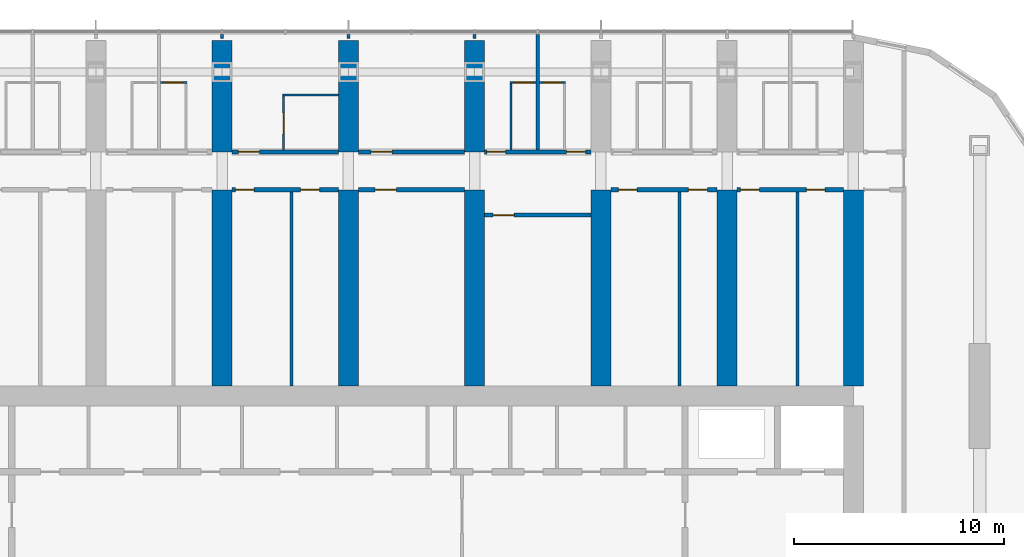
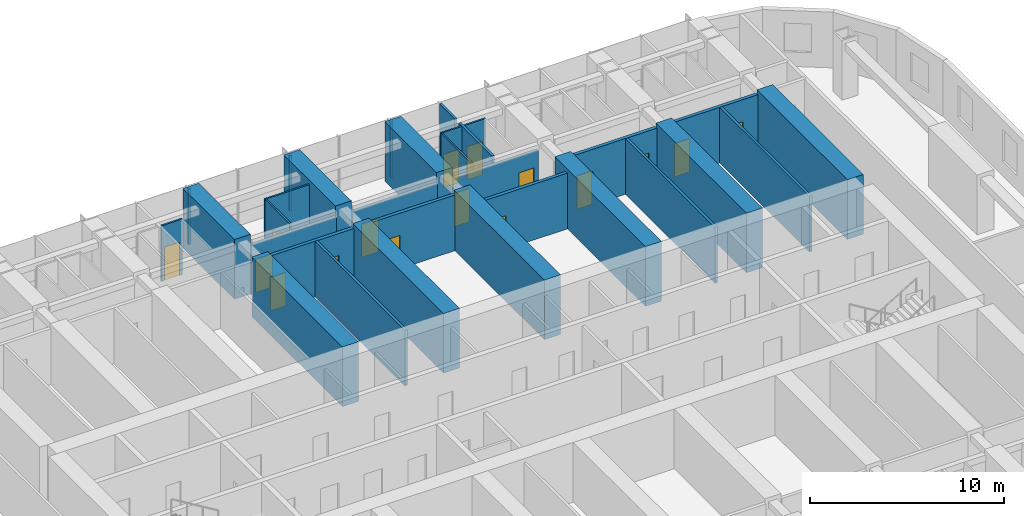
# One storey, part 15 of 22: 30 walls, 16 doors, 16 openings.
"""IFC4 building model written with IfcOpenShell, lengths in metres."""

from ifc_helpers import new_model, si_unit, direction, frame, frame_2d, origin, place, context, subcontext, project, spatial, polyline, rectangle, outline, extrude, material, layer, layer_set, type_object, element, fill, save


model = new_model("IFC4")

# Units and contexts
model_context = context("Model", 3, precision=1e-05, world=origin(), true_north=direction((0.0, 1.0)))
body_context = subcontext(model_context, "Body", "Model", "MODEL_VIEW")
ifc_project = project(units=[si_unit("LENGTHUNIT", "METRE"), si_unit("AREAUNIT", "SQUARE_METRE"), si_unit("VOLUMEUNIT", "CUBIC_METRE"), si_unit("PLANEANGLEUNIT", "RADIAN"), si_unit("MASSUNIT", "GRAM", prefix="KILO")], contexts=[model_context])

# Site, building, storey
site_placement = place(None, origin())
site = spatial("IfcSite", under=ifc_project, at=site_placement, CompositionType="ELEMENT")
building_placement = place(site_placement, origin())
building = spatial("IfcBuilding", under=site, at=building_placement, Name="Orbita Commons", CompositionType="ELEMENT")
storey_placement = place(building_placement, frame((0.0, 0.0, 121.89990234375)))
storey = spatial("IfcBuildingStorey", under=building, at=storey_placement, Name="L30", CompositionType="ELEMENT", Elevation=121.89990234375)

# Wall, opening, door
ifc_material_1 = material(Name="Concrete blockwork", Category="masonry")
ifc_layer_1 = layer(ifc_material_1, 0.199951171875)
ifc_layer_set_1 = layer_set([ifc_layer_1], Name="Concrete blockwork")
wall_type_1 = type_object("IfcWallType", Name="Corridor wall 200 blockwork", PredefinedType="SOLIDWALL", material=ifc_layer_set_1)
wall_1_placement = place(storey_placement, frame((36.47509765625, 49.800048828125, 0.0), z_axis=(0.0, 0.0, 1.0), x_axis=(1.0, 0.0, 0.0)))
wall_1 = element("IfcWall", 1, at=wall_1_placement, inside=storey, type_object=wall_type_1, Name="Corridor wall 200 blockwork L30", PredefinedType="SOLIDWALL", context=body_context, shape_type="SweptSolid", body=[
    extrude(outline(polyline([(0.0, 0.0), (5.0498046875, 0.0), (5.050048828125, 3.10009765625), (0.0, 3.10009765625), (0.0, 0.0)])), frame((0.0, 0.10009765625, 0.0), z_axis=(0.0, -1.0, 0.0), x_axis=(1.0, 0.0, 0.0)), (0.0, 0.0, 1.0), 0.199951171875),
])
opening_1_placement = place(wall_1_placement, frame((0.300048828125, 0.0, 0.0)))
opening_1 = element("IfcOpeningElement", 2, at=opening_1_placement, cuts=wall_1, Name="Opening D06", PredefinedType="OPENING", context=body_context, shape_type="SweptSolid", body=[
    extrude(rectangle(XDim=1.0, YDim=2.10009765625, at=frame_2d((0.5, 1.050048828125))), frame((0.0, 0.10986328125, 0.0), z_axis=(0.0, -1.0, 0.0), x_axis=(1.0, 0.0, 0.0)), (0.0, 0.0, 1.0), 0.219970703125),
])
ifc_material_2 = material(Name="Steel-faced fire door leaf", Category="steel")
door_type_1 = type_object("IfcDoorType", Name="Corridor door 20 min 1000x2100", OperationType="SINGLE_SWING_LEFT", PredefinedType="DOOR", material=ifc_material_2)
door_1_placement = place(opening_1_placement, origin())
door_1 = element("IfcDoor", 3, at=door_1_placement, inside=storey, type_object=door_type_1, Name="Accessible bedroom L30-N08 door", OperationType="SINGLE_SWING_LEFT", OverallHeight=2.10009765625, OverallWidth=1.0, PredefinedType="DOOR", context=body_context, shape_type="SweptSolid", body=[
    extrude(rectangle(XDim=1.0, YDim=2.10009765625, at=frame_2d((0.5, 1.050048828125))), frame((0.0, 0.02490234375, 0.0), z_axis=(0.0, -1.0, 0.0), x_axis=(1.0, 0.0, 0.0)), (0.0, 0.0, 1.0), 0.050048828125),
])
fill(opening_1, door_1)

wall_2_placement = place(storey_placement, frame((42.47509765625, 49.800048828125, 0.0), z_axis=(0.0, 0.0, 1.0), x_axis=(1.0, 0.0, 0.0)))
wall_2 = element("IfcWall", 4, at=wall_2_placement, inside=storey, type_object=wall_type_1, Name="Corridor wall 200 blockwork L30", PredefinedType="SOLIDWALL", context=body_context, shape_type="SweptSolid", body=[
    extrude(outline(polyline([(0.0, 0.0), (5.0498046875, 0.0), (5.050048828125, 3.10009765625), (0.0, 3.10009765625), (0.0, 0.0)])), frame((0.0, 0.10009765625, 0.0), z_axis=(0.0, -1.0, 0.0), x_axis=(1.0, 0.0, 0.0)), (0.0, 0.0, 1.0), 0.199951171875),
])
opening_2_placement = place(wall_2_placement, frame((0.60009765625, 0.0, 0.0)))
opening_2 = element("IfcOpeningElement", 5, at=opening_2_placement, cuts=wall_2, Name="Opening D06", PredefinedType="OPENING", context=body_context, shape_type="SweptSolid", body=[
    extrude(rectangle(XDim=1.0, YDim=2.10009765625, at=frame_2d((0.5, 1.050048828125))), frame((0.0, 0.10986328125, 0.0), z_axis=(0.0, -1.0, 0.0), x_axis=(1.0, 0.0, 0.0)), (0.0, 0.0, 1.0), 0.219970703125),
])
door_2_placement = place(opening_2_placement, origin())
door_2 = element("IfcDoor", 6, at=door_2_placement, inside=storey, type_object=door_type_1, Name="Cluster kitchen-diner L30-N10 door", OperationType="SINGLE_SWING_LEFT", OverallHeight=2.10009765625, OverallWidth=1.0, PredefinedType="DOOR", context=body_context, shape_type="SweptSolid", body=[
    extrude(rectangle(XDim=1.0, YDim=2.10009765625, at=frame_2d((0.5, 1.050048828125))), frame((0.0, 0.02490234375, 0.0), z_axis=(0.0, -1.0, 0.0), x_axis=(1.0, 0.0, 0.0)), (0.0, 0.0, 1.0), 0.050048828125),
])
fill(opening_2, door_2)

# Wall, openings, doors
wall_3_placement = place(storey_placement, frame((48.47509765625, 49.800048828125, 0.0), z_axis=(0.0, 0.0, 1.0), x_axis=(1.0, 0.0, 0.0)))
wall_3 = element("IfcWall", 7, at=wall_3_placement, inside=storey, type_object=wall_type_1, Name="Corridor wall 200 blockwork L30", PredefinedType="SOLIDWALL", context=body_context, shape_type="SweptSolid", body=[
    extrude(outline(polyline([(0.0, 0.0), (5.0498046875, 0.0), (5.050048828125, 3.10009765625), (0.0, 3.10009765625), (0.0, 0.0)])), frame((0.0, 0.10009765625, 0.0), z_axis=(0.0, -1.0, 0.0), x_axis=(1.0, 0.0, 0.0)), (0.0, 0.0, 1.0), 0.199951171875),
])
opening_3_placement = place(wall_3_placement, frame((0.10009765625, 0.0, 0.0)))
opening_3 = element("IfcOpeningElement", 8, at=opening_3_placement, cuts=wall_3, Name="Opening D11", PredefinedType="OPENING", context=body_context, shape_type="SweptSolid", body=[
    extrude(rectangle(XDim=0.89990234375, YDim=2.10009765625, at=frame_2d((0.449951171875, 1.050048828125))), frame((0.0, 0.10986328125, 0.0), z_axis=(0.0, -1.0, 0.0), x_axis=(1.0, 0.0, 0.0)), (0.0, 0.0, 1.0), 0.219970703125),
])
opening_4_placement = place(wall_3_placement, frame((3.89990234375, 0.0, 0.0)))
opening_4 = element("IfcOpeningElement", 9, at=opening_4_placement, cuts=wall_3, Name="Opening D11", PredefinedType="OPENING", context=body_context, shape_type="SweptSolid", body=[
    extrude(rectangle(XDim=0.89990234375, YDim=2.10009765625, at=frame_2d((0.449951171875, 1.050048828125))), frame((0.0, 0.10986328125, 0.0), z_axis=(0.0, -1.0, 0.0), x_axis=(1.0, 0.0, 0.0)), (0.0, 0.0, 1.0), 0.219970703125),
])
ifc_material_3 = material(Name="Steel-faced fire door leaf", Category="steel")
door_type_2 = type_object("IfcDoorType", Name="Corridor door 20 min 900x2100", OperationType="SINGLE_SWING_LEFT", PredefinedType="DOOR", material=ifc_material_3)
door_3_placement = place(opening_3_placement, origin())
door_3 = element("IfcDoor", 10, at=door_3_placement, inside=storey, type_object=door_type_2, Name="Cluster bedroom L30-N12 door", OperationType="SINGLE_SWING_LEFT", OverallHeight=2.10009765625, OverallWidth=0.89990234375, PredefinedType="DOOR", context=body_context, shape_type="SweptSolid", body=[
    extrude(rectangle(XDim=0.89990234375, YDim=2.10009765625, at=frame_2d((0.449951171875, 1.050048828125))), frame((0.0, 0.02490234375, 0.0), z_axis=(0.0, -1.0, 0.0), x_axis=(1.0, 0.0, 0.0)), (0.0, 0.0, 1.0), 0.050048828125),
])
fill(opening_3, door_3)
door_4_placement = place(opening_4_placement, origin())
door_4 = element("IfcDoor", 11, at=door_4_placement, inside=storey, type_object=door_type_2, Name="Cluster bedroom L30-N13 door", OperationType="SINGLE_SWING_LEFT", OverallHeight=2.10009765625, OverallWidth=0.89990234375, PredefinedType="DOOR", context=body_context, shape_type="SweptSolid", body=[
    extrude(rectangle(XDim=0.89990234375, YDim=2.10009765625, at=frame_2d((0.449951171875, 1.050048828125))), frame((0.0, 0.02490234375, 0.0), z_axis=(0.0, -1.0, 0.0), x_axis=(1.0, 0.0, 0.0)), (0.0, 0.0, 1.0), 0.050048828125),
])
fill(opening_4, door_4)

ifc_material_4 = material(Name="Hollow concrete block 200", Category="concrete")
ifc_layer_2 = layer(ifc_material_4, 0.199951171875)
ifc_layer_set_2 = layer_set([ifc_layer_2], Name="Hollow concrete block 200")
wall_type_2 = type_object("IfcWallType", Name="Corridor wall 200 hollow concrete block", PredefinedType="SOLIDWALL", material=ifc_layer_set_2)
wall_4_placement = place(storey_placement, frame((36.47509765625, 48.0, 0.0), z_axis=(0.0, 0.0, 1.0), x_axis=(1.0, 0.0, 0.0)))
wall_4 = element("IfcWall", 12, at=wall_4_placement, inside=storey, type_object=wall_type_2, Name="Corridor wall 200 hollow concrete block L30", PredefinedType="SOLIDWALL", context=body_context, shape_type="SweptSolid", body=[
    extrude(rectangle(XDim=5.0498046875, YDim=0.199951171875, at=frame_2d((2.52490234375, 0.0))), origin(), (0.0, 0.0, 1.0), 3.5),
])
opening_5_placement = place(wall_4_placement, frame((0.14990234375, 0.0, 0.0)))
opening_5 = element("IfcOpeningElement", 13, at=opening_5_placement, cuts=wall_4, Name="Opening D11", PredefinedType="OPENING", context=body_context, shape_type="SweptSolid", body=[
    extrude(rectangle(XDim=0.89990234375, YDim=2.10009765625, at=frame_2d((0.449951171875, 1.050048828125))), frame((0.0, 0.10986328125, 0.0), z_axis=(0.0, -1.0, 0.0), x_axis=(1.0, 0.0, 0.0)), (0.0, 0.0, 1.0), 0.219970703125),
])
opening_6_placement = place(wall_4_placement, frame((3.2548828125, 0.0, 0.0)))
opening_6 = element("IfcOpeningElement", 14, at=opening_6_placement, cuts=wall_4, Name="Opening D11", PredefinedType="OPENING", context=body_context, shape_type="SweptSolid", body=[
    extrude(rectangle(XDim=0.89990234375, YDim=2.10009765625, at=frame_2d((0.449951171875, 1.050048828125))), frame((0.0, 0.10986328125, 0.0), z_axis=(0.0, -1.0, 0.0), x_axis=(1.0, 0.0, 0.0)), (0.0, 0.0, 1.0), 0.219970703125),
])
door_5_placement = place(opening_5_placement, origin())
door_5 = element("IfcDoor", 15, at=door_5_placement, inside=storey, type_object=door_type_2, Name="Electrical and data room L30-BDN36 door", OperationType="SINGLE_SWING_LEFT", OverallHeight=2.10009765625, OverallWidth=0.89990234375, PredefinedType="DOOR", context=body_context, shape_type="SweptSolid", body=[
    extrude(rectangle(XDim=0.89990234375, YDim=2.10009765625, at=frame_2d((0.449951171875, 1.050048828125))), frame((0.0, 0.02490234375, 0.0), z_axis=(0.0, -1.0, 0.0), x_axis=(1.0, 0.0, 0.0)), (0.0, 0.0, 1.0), 0.050048828125),
])
fill(opening_5, door_5)
door_6_placement = place(opening_6_placement, origin())
door_6 = element("IfcDoor", 16, at=door_6_placement, inside=storey, type_object=door_type_2, Name="Water heater cupboard L30-BDN36n door", OperationType="SINGLE_SWING_LEFT", OverallHeight=2.10009765625, OverallWidth=0.89990234375, PredefinedType="DOOR", context=body_context, shape_type="SweptSolid", body=[
    extrude(rectangle(XDim=0.89990234375, YDim=2.10009765625, at=frame_2d((0.449951171875, 1.050048828125))), frame((0.0, 0.02490234375, 0.0), z_axis=(0.0, -1.0, 0.0), x_axis=(1.0, 0.0, 0.0)), (0.0, 0.0, 1.0), 0.050048828125),
])
fill(opening_6, door_6)

# Wall, opening, door
wall_5_placement = place(storey_placement, frame((42.47509765625, 48.0, 0.0), z_axis=(0.0, 0.0, 1.0), x_axis=(1.0, 0.0, 0.0)))
wall_5 = element("IfcWall", 17, at=wall_5_placement, inside=storey, type_object=wall_type_2, Name="Corridor wall 200 hollow concrete block L30", PredefinedType="SOLIDWALL", context=body_context, shape_type="SweptSolid", body=[
    extrude(rectangle(XDim=5.0498046875, YDim=0.199951171875, at=frame_2d((2.52490234375, 0.0))), origin(), (0.0, 0.0, 1.0), 3.5),
])
opening_7_placement = place(wall_5_placement, frame((0.800048828125, 0.0, 0.0)))
opening_7 = element("IfcOpeningElement", 18, at=opening_7_placement, cuts=wall_5, Name="Opening D06", PredefinedType="OPENING", context=body_context, shape_type="SweptSolid", body=[
    extrude(rectangle(XDim=1.0, YDim=2.10009765625, at=frame_2d((0.5, 1.050048828125))), frame((0.0, 0.10986328125, 0.0), z_axis=(0.0, -1.0, 0.0), x_axis=(1.0, 0.0, 0.0)), (0.0, 0.0, 1.0), 0.219970703125),
])
door_7_placement = place(opening_7_placement, origin())
door_7 = element("IfcDoor", 19, at=door_7_placement, inside=storey, type_object=door_type_1, Name="Storage lockers L30-BDN42 door", OperationType="SINGLE_SWING_LEFT", OverallHeight=2.10009765625, OverallWidth=1.0, PredefinedType="DOOR", context=body_context, shape_type="SweptSolid", body=[
    extrude(rectangle(XDim=1.0, YDim=2.10009765625, at=frame_2d((0.5, 1.050048828125))), frame((0.0, 0.02490234375, 0.0), z_axis=(0.0, -1.0, 0.0), x_axis=(1.0, 0.0, 0.0)), (0.0, 0.0, 1.0), 0.050048828125),
])
fill(opening_7, door_7)

# Wall, openings, doors
wall_6_placement = place(storey_placement, frame((54.47509765625, 48.0, 0.0), z_axis=(0.0, 0.0, 1.0), x_axis=(1.0, 0.0, 0.0)))
wall_6 = element("IfcWall", 20, at=wall_6_placement, inside=storey, type_object=wall_type_2, Name="Corridor wall 200 hollow concrete block L30", PredefinedType="SOLIDWALL", context=body_context, shape_type="SweptSolid", body=[
    extrude(rectangle(XDim=5.0498046875, YDim=0.199951171875, at=frame_2d((2.52490234375, 0.0))), origin(), (0.0, 0.0, 1.0), 3.5),
])
opening_8_placement = place(wall_6_placement, frame((0.35009765625, 0.0, 0.0)))
opening_8 = element("IfcOpeningElement", 21, at=opening_8_placement, cuts=wall_6, Name="Opening D11", PredefinedType="OPENING", context=body_context, shape_type="SweptSolid", body=[
    extrude(rectangle(XDim=0.89990234375, YDim=2.10009765625, at=frame_2d((0.449951171875, 1.050048828125))), frame((0.0, 0.10986328125, 0.0), z_axis=(0.0, -1.0, 0.0), x_axis=(1.0, 0.0, 0.0)), (0.0, 0.0, 1.0), 0.219970703125),
])
opening_9_placement = place(wall_6_placement, frame((3.68505859375, 0.0, 0.0)))
opening_9 = element("IfcOpeningElement", 22, at=opening_9_placement, cuts=wall_6, Name="Opening D11", PredefinedType="OPENING", context=body_context, shape_type="SweptSolid", body=[
    extrude(rectangle(XDim=0.89990234375, YDim=2.10009765625, at=frame_2d((0.449951171875, 1.050048828125))), frame((0.0, 0.10986328125, 0.0), z_axis=(0.0, -1.0, 0.0), x_axis=(1.0, 0.0, 0.0)), (0.0, 0.0, 1.0), 0.219970703125),
])
door_8_placement = place(opening_8_placement, origin())
door_8 = element("IfcDoor", 23, at=door_8_placement, inside=storey, type_object=door_type_2, Name="Ventilation plant room north L30-BDN54 door", OperationType="SINGLE_SWING_LEFT", OverallHeight=2.10009765625, OverallWidth=0.89990234375, PredefinedType="DOOR", context=body_context, shape_type="SweptSolid", body=[
    extrude(rectangle(XDim=0.89990234375, YDim=2.10009765625, at=frame_2d((0.449951171875, 1.050048828125))), frame((0.0, 0.02490234375, 0.0), z_axis=(0.0, -1.0, 0.0), x_axis=(1.0, 0.0, 0.0)), (0.0, 0.0, 1.0), 0.050048828125),
])
fill(opening_8, door_8)
door_9_placement = place(opening_9_placement, origin())
door_9 = element("IfcDoor", 24, at=door_9_placement, inside=storey, type_object=door_type_2, Name="Battery and UPS room L30-BDN54n door", OperationType="SINGLE_SWING_LEFT", OverallHeight=2.10009765625, OverallWidth=0.89990234375, PredefinedType="DOOR", context=body_context, shape_type="SweptSolid", body=[
    extrude(rectangle(XDim=0.89990234375, YDim=2.10009765625, at=frame_2d((0.449951171875, 1.050048828125))), frame((0.0, 0.02490234375, 0.0), z_axis=(0.0, -1.0, 0.0), x_axis=(1.0, 0.0, 0.0)), (0.0, 0.0, 1.0), 0.050048828125),
])
fill(opening_9, door_9)

wall_7_placement = place(storey_placement, frame((60.47509765625, 48.0, 0.0), z_axis=(0.0, 0.0, 1.0), x_axis=(1.0, 0.0, 0.0)))
wall_7 = element("IfcWall", 25, at=wall_7_placement, inside=storey, type_object=wall_type_2, Name="Corridor wall 200 hollow concrete block L30", PredefinedType="SOLIDWALL", context=body_context, shape_type="SweptSolid", body=[
    extrude(rectangle(XDim=5.0498046875, YDim=0.199951171875, at=frame_2d((2.52490234375, 0.0))), origin(), (0.0, 0.0, 1.0), 3.5),
])
opening_10_placement = place(wall_7_placement, frame((0.14990234375, 0.0, 0.0)))
opening_10 = element("IfcOpeningElement", 26, at=opening_10_placement, cuts=wall_7, Name="Opening D11", PredefinedType="OPENING", context=body_context, shape_type="SweptSolid", body=[
    extrude(rectangle(XDim=0.89990234375, YDim=2.10009765625, at=frame_2d((0.449951171875, 1.050048828125))), frame((0.0, 0.10986328125, 0.0), z_axis=(0.0, -1.0, 0.0), x_axis=(1.0, 0.0, 0.0)), (0.0, 0.0, 1.0), 0.219970703125),
])
opening_11_placement = place(wall_7_placement, frame((3.284912109375, 0.0, 0.0)))
opening_11 = element("IfcOpeningElement", 27, at=opening_11_placement, cuts=wall_7, Name="Opening D11", PredefinedType="OPENING", context=body_context, shape_type="SweptSolid", body=[
    extrude(rectangle(XDim=0.89990234375, YDim=2.10009765625, at=frame_2d((0.449951171875, 1.050048828125))), frame((0.0, 0.10986328125, 0.0), z_axis=(0.0, -1.0, 0.0), x_axis=(1.0, 0.0, 0.0)), (0.0, 0.0, 1.0), 0.219970703125),
])
door_10_placement = place(opening_10_placement, origin())
door_10 = element("IfcDoor", 28, at=door_10_placement, inside=storey, type_object=door_type_2, Name="Parcel and post room L30-BDN60 door", OperationType="SINGLE_SWING_LEFT", OverallHeight=2.10009765625, OverallWidth=0.89990234375, PredefinedType="DOOR", context=body_context, shape_type="SweptSolid", body=[
    extrude(rectangle(XDim=0.89990234375, YDim=2.10009765625, at=frame_2d((0.449951171875, 1.050048828125))), frame((0.0, 0.02490234375, 0.0), z_axis=(0.0, -1.0, 0.0), x_axis=(1.0, 0.0, 0.0)), (0.0, 0.0, 1.0), 0.050048828125),
])
fill(opening_10, door_10)
door_11_placement = place(opening_11_placement, origin())
door_11 = element("IfcDoor", 29, at=door_11_placement, inside=storey, type_object=door_type_2, Name="Sprinkler valve room L30-BDN60n door", OperationType="SINGLE_SWING_LEFT", OverallHeight=2.10009765625, OverallWidth=0.89990234375, PredefinedType="DOOR", context=body_context, shape_type="SweptSolid", body=[
    extrude(rectangle(XDim=0.89990234375, YDim=2.10009765625, at=frame_2d((0.449951171875, 1.050048828125))), frame((0.0, 0.02490234375, 0.0), z_axis=(0.0, -1.0, 0.0), x_axis=(1.0, 0.0, 0.0)), (0.0, 0.0, 1.0), 0.050048828125),
])
fill(opening_11, door_11)

# Wall, opening, door
wall_8_placement = place(storey_placement, frame((48.47509765625, 46.800048828125, 0.0), z_axis=(0.0, 0.0, 1.0), x_axis=(1.0, 0.0, 0.0)))
wall_8 = element("IfcWall", 30, at=wall_8_placement, inside=storey, type_object=wall_type_2, Name="Corridor wall 200 hollow concrete block L30", PredefinedType="SOLIDWALL", context=body_context, shape_type="SweptSolid", body=[
    extrude(rectangle(XDim=5.0498046875, YDim=0.199951171875, at=frame_2d((2.52490234375, 0.0))), origin(), (0.0, 0.0, 1.0), 3.5),
])
opening_12_placement = place(wall_8_placement, frame((0.39990234375, 0.0, 0.0)))
opening_12 = element("IfcOpeningElement", 31, at=opening_12_placement, cuts=wall_8, Name="Opening D06", PredefinedType="OPENING", context=body_context, shape_type="SweptSolid", body=[
    extrude(rectangle(XDim=1.0, YDim=2.10009765625, at=frame_2d((0.5, 1.050048828125))), frame((0.0, 0.10986328125, 0.0), z_axis=(0.0, -1.0, 0.0), x_axis=(1.0, 0.0, 0.0)), (0.0, 0.0, 1.0), 0.219970703125),
])
door_12_placement = place(opening_12_placement, origin())
door_12 = element("IfcDoor", 32, at=door_12_placement, inside=storey, type_object=door_type_1, Name="Store L30-BDN48 door", OperationType="SINGLE_SWING_LEFT", OverallHeight=2.10009765625, OverallWidth=1.0, PredefinedType="DOOR", context=body_context, shape_type="SweptSolid", body=[
    extrude(rectangle(XDim=1.0, YDim=2.10009765625, at=frame_2d((0.5, 1.050048828125))), frame((0.0, 0.02490234375, 0.0), z_axis=(0.0, -1.0, 0.0), x_axis=(1.0, 0.0, 0.0)), (0.0, 0.0, 1.0), 0.050048828125),
])
fill(opening_12, door_12)

# Walls
ifc_material_5 = material(Name="Concrete C50/60", Category="concrete")
ifc_layer_3 = layer(ifc_material_5, 0.949951171875)
ifc_layer_set_3 = layer_set([ifc_layer_3], Name="Concrete C50/60")
wall_type_3 = type_object("IfcWallType", Name="Cross wall 950 C50/60", PredefinedType="SHEAR", material=ifc_layer_set_3)
wall_9_placement = place(storey_placement, frame((36.0, 49.800048828125, 0.0), z_axis=(0.0, 0.0, 1.0), x_axis=(0.0, 1.0, 0.0)))
element("IfcWall", 33, at=wall_9_placement, inside=storey, type_object=wall_type_3, Name="Cross wall 7 north outer L30", PredefinedType="SHEAR", context=body_context, shape_type="SweptSolid", body=[
    extrude(rectangle(XDim=5.300048828125, YDim=0.949951171875, at=frame_2d((2.64990234375, 0.0))), origin(), (0.0, 0.0, 1.0), 3.75),
])
wall_10_placement = place(storey_placement, frame((36.0, 38.675048828125, 0.0), z_axis=(0.0, 0.0, 1.0), x_axis=(0.0, 1.0, 0.0)))
element("IfcWall", 34, at=wall_10_placement, inside=storey, type_object=wall_type_3, Name="Cross wall 7 north inner L30", PredefinedType="SHEAR", context=body_context, shape_type="SweptSolid", body=[
    extrude(rectangle(XDim=9.324951171875, YDim=0.949951171875, at=frame_2d((4.66259765625, 0.0))), origin(), (0.0, 0.0, 1.0), 3.75),
])
wall_11_placement = place(storey_placement, frame((42.0, 49.800048828125, 0.0), z_axis=(0.0, 0.0, 1.0), x_axis=(0.0, 1.0, 0.0)))
element("IfcWall", 35, at=wall_11_placement, inside=storey, type_object=wall_type_3, Name="Cross wall 8 north outer L30", PredefinedType="SHEAR", context=body_context, shape_type="SweptSolid", body=[
    extrude(rectangle(XDim=5.300048828125, YDim=0.949951171875, at=frame_2d((2.64990234375, 0.0))), origin(), (0.0, 0.0, 1.0), 3.75),
])
wall_12_placement = place(storey_placement, frame((42.0, 38.675048828125, 0.0), z_axis=(0.0, 0.0, 1.0), x_axis=(0.0, 1.0, 0.0)))
element("IfcWall", 36, at=wall_12_placement, inside=storey, type_object=wall_type_3, Name="Cross wall 8 north inner L30", PredefinedType="SHEAR", context=body_context, shape_type="SweptSolid", body=[
    extrude(rectangle(XDim=9.324951171875, YDim=0.949951171875, at=frame_2d((4.66259765625, 0.0))), origin(), (0.0, 0.0, 1.0), 3.75),
])
wall_13_placement = place(storey_placement, frame((48.0, 49.800048828125, 0.0), z_axis=(0.0, 0.0, 1.0), x_axis=(0.0, 1.0, 0.0)))
element("IfcWall", 37, at=wall_13_placement, inside=storey, type_object=wall_type_3, Name="Cross wall 9 north outer L30", PredefinedType="SHEAR", context=body_context, shape_type="SweptSolid", body=[
    extrude(rectangle(XDim=5.300048828125, YDim=0.949951171875, at=frame_2d((2.64990234375, 0.0))), origin(), (0.0, 0.0, 1.0), 3.75),
])
for number, where, z_axis, x_axis, name in (
    (38, (48.0, 38.675048828125, 0.0), (0.0, 0.0, 1.0), (0.0, 1.0, 0.0), "Cross wall 9 north inner L30"),
    (39, (54.0, 38.675048828125, 0.0), (0.0, 0.0, 1.0), (0.0, 1.0, 0.0), "Cross wall 10 north inner L30"),
    (40, (60.0, 38.675048828125, 0.0), (0.0, 0.0, 1.0), (0.0, 1.0, 0.0), "Cross wall 11 north inner L30"),
    (41, (66.0, 38.675048828125, 0.0), (0.0, 0.0, 1.0), (0.0, 1.0, 0.0), "Cross wall 12 north inner L30"),
):
    element("IfcWall", number, at=place(storey_placement, frame(where, z_axis=z_axis, x_axis=x_axis)), inside=storey, type_object=wall_type_3, Name=name, PredefinedType="SHEAR", context=body_context, shape_type="SweptSolid", body=[
        extrude(rectangle(XDim=9.324951171875, YDim=0.949951171875, at=frame_2d((4.66259765625, 0.0))), origin(), (0.0, 0.0, 1.0), 3.75),
    ])

# Wall, opening, door
ifc_material_6 = material(Name="Moisture-resistant plasterboard on steel studs", Category="steel")
ifc_layer_4 = layer(ifc_material_6, 0.10009765625)
ifc_layer_set_4 = layer_set([ifc_layer_4], Name="Moisture-resistant plasterboard on steel studs")
wall_type_4 = type_object("IfcWallType", Name="En-suite partition 100", PredefinedType="PARTITIONING", material=ifc_layer_set_4)
wall_14_placement = place(storey_placement, frame((33.074951171875, 53.10009765625, 0.0), z_axis=(0.0, 0.0, 1.0), x_axis=(1.0, 0.0, 0.0)))
wall_14 = element("IfcWall", 42, at=wall_14_placement, inside=storey, type_object=wall_type_4, Name="En-suite partition 100 L30", PredefinedType="PARTITIONING", context=body_context, shape_type="SweptSolid", body=[
    extrude(rectangle(XDim=1.25, YDim=0.10009765625, at=frame_2d((0.625, 0.0))), origin(), (0.0, 0.0, 1.0), 3.5),
])
opening_13_placement = place(wall_14_placement, frame((0.175048828125, 0.0, 0.0)))
opening_13 = element("IfcOpeningElement", 43, at=opening_13_placement, cuts=wall_14, Name="Opening D09", PredefinedType="OPENING", context=body_context, shape_type="SweptSolid", body=[
    extrude(rectangle(XDim=0.89990234375, YDim=2.10009765625, at=frame_2d((0.449951171875, 1.050048828125))), frame((0.0, 0.06005859375, 0.0), z_axis=(0.0, -1.0, 0.0), x_axis=(1.0, 0.0, 0.0)), (0.0, 0.0, 1.0), 0.1201171875),
])
ifc_material_7 = material(Name="Laminated timber door leaf", Category="wood")
door_type_3 = type_object("IfcDoorType", Name="En-suite door 900x2100", OperationType="SINGLE_SWING_RIGHT", PredefinedType="DOOR", material=ifc_material_7)
door_13_placement = place(opening_13_placement, origin())
door_13 = element("IfcDoor", 44, at=door_13_placement, inside=storey, type_object=door_type_3, Name="En-suite L30-N07 door", OperationType="SINGLE_SWING_RIGHT", OverallHeight=2.10009765625, OverallWidth=0.89990234375, PredefinedType="DOOR", context=body_context, shape_type="SweptSolid", body=[
    extrude(rectangle(XDim=0.89990234375, YDim=2.10009765625, at=frame_2d((0.449951171875, 1.050048828125))), frame((0.0, 0.02490234375, 0.0), z_axis=(0.0, -1.0, 0.0), x_axis=(1.0, 0.0, 0.0)), (0.0, 0.0, 1.0), 0.050048828125),
])
fill(opening_13, door_13)

# Wall
wall_15_placement = place(storey_placement, frame((38.875, 52.5, 0.0), z_axis=(0.0, 0.0, 1.0), x_axis=(1.0, 0.0, 0.0)))
element("IfcWall", 45, at=wall_15_placement, inside=storey, type_object=wall_type_4, Name="En-suite partition 100 L30", PredefinedType="PARTITIONING", context=body_context, shape_type="SweptSolid", body=[
    extrude(rectangle(XDim=2.64990234375, YDim=0.10009765625, at=frame_2d((1.324951171875, 0.0))), origin(), (0.0, 0.0, 1.0), 3.5),
])

# Wall, opening, door
wall_16_placement = place(storey_placement, frame((38.925048828125, 52.449951171875, 0.0), z_axis=(0.0, 0.0, 1.0), x_axis=(0.0, -1.0, 0.0)))
wall_16 = element("IfcWall", 46, at=wall_16_placement, inside=storey, type_object=wall_type_4, Name="En-suite partition 100 L30", PredefinedType="PARTITIONING", context=body_context, shape_type="SweptSolid", body=[
    extrude(outline(polyline([(0.0, 0.0), (2.550048828125, 0.0), (2.550048828125, 3.10009765625), (2.501953125, 3.10009765625), (2.5, 3.5), (0.0, 3.5), (0.0, 0.0)])), frame((0.0, 0.050048828125, 0.0), z_axis=(0.0, -1.0, 0.0), x_axis=(1.0, 0.0, 0.0)), (0.0, 0.0, 1.0), 0.10009765625),
])
opening_14_placement = place(wall_16_placement, frame((0.800048828125, 0.0, 0.0)))
opening_14 = element("IfcOpeningElement", 47, at=opening_14_placement, cuts=wall_16, Name="Opening D13", PredefinedType="OPENING", context=body_context, shape_type="SweptSolid", body=[
    extrude(rectangle(XDim=1.0, YDim=2.10009765625, at=frame_2d((0.5, 1.050048828125))), frame((0.0, 0.06005859375, 0.0), z_axis=(0.0, -1.0, 0.0), x_axis=(1.0, 0.0, 0.0)), (0.0, 0.0, 1.0), 0.1201171875),
])
ifc_material_8 = material(Name="Laminated timber door leaf", Category="wood")
door_type_4 = type_object("IfcDoorType", Name="En-suite door 1000x2100", OperationType="SINGLE_SWING_RIGHT", PredefinedType="DOOR", material=ifc_material_8)
door_14_placement = place(opening_14_placement, origin())
door_14 = element("IfcDoor", 48, at=door_14_placement, inside=storey, type_object=door_type_4, Name="Accessible shower room L30-N08 door", OperationType="SINGLE_SWING_RIGHT", OverallHeight=2.10009765625, OverallWidth=1.0, PredefinedType="DOOR", context=body_context, shape_type="SweptSolid", body=[
    extrude(rectangle(XDim=1.0, YDim=2.10009765625, at=frame_2d((0.5, 1.050048828125))), frame((0.0, 0.02490234375, 0.0), z_axis=(0.0, -1.0, 0.0), x_axis=(1.0, 0.0, 0.0)), (0.0, 0.0, 1.0), 0.050048828125),
])
fill(opening_14, door_14)

wall_17_placement = place(storey_placement, frame((49.675048828125, 53.10009765625, 0.0), z_axis=(0.0, 0.0, 1.0), x_axis=(1.0, 0.0, 0.0)))
wall_17 = element("IfcWall", 49, at=wall_17_placement, inside=storey, type_object=wall_type_4, Name="En-suite partition 100 L30", PredefinedType="PARTITIONING", context=body_context, shape_type="SweptSolid", body=[
    extrude(rectangle(XDim=1.25, YDim=0.10009765625, at=frame_2d((0.625, 0.0))), origin(), (0.0, 0.0, 1.0), 3.5),
])
opening_15_placement = place(wall_17_placement, frame((0.175048828125, 0.0, 0.0)))
opening_15 = element("IfcOpeningElement", 50, at=opening_15_placement, cuts=wall_17, Name="Opening D09", PredefinedType="OPENING", context=body_context, shape_type="SweptSolid", body=[
    extrude(rectangle(XDim=0.89990234375, YDim=2.10009765625, at=frame_2d((0.449951171875, 1.050048828125))), frame((0.0, 0.06005859375, 0.0), z_axis=(0.0, -1.0, 0.0), x_axis=(1.0, 0.0, 0.0)), (0.0, 0.0, 1.0), 0.1201171875),
])
door_15_placement = place(opening_15_placement, origin())
door_15 = element("IfcDoor", 51, at=door_15_placement, inside=storey, type_object=door_type_3, Name="En-suite L30-N12 door", OperationType="SINGLE_SWING_RIGHT", OverallHeight=2.10009765625, OverallWidth=0.89990234375, PredefinedType="DOOR", context=body_context, shape_type="SweptSolid", body=[
    extrude(rectangle(XDim=0.89990234375, YDim=2.10009765625, at=frame_2d((0.449951171875, 1.050048828125))), frame((0.0, 0.02490234375, 0.0), z_axis=(0.0, -1.0, 0.0), x_axis=(1.0, 0.0, 0.0)), (0.0, 0.0, 1.0), 0.050048828125),
])
fill(opening_15, door_15)

# Wall
wall_18_placement = place(storey_placement, frame((49.72509765625, 53.050048828125, 0.0), z_axis=(0.0, 0.0, 1.0), x_axis=(0.0, -1.0, 0.0)))
element("IfcWall", 52, at=wall_18_placement, inside=storey, type_object=wall_type_4, Name="En-suite partition 100 L30", PredefinedType="PARTITIONING", context=body_context, shape_type="SweptSolid", body=[
    extrude(outline(polyline([(0.0, 0.0), (3.150146484375, 0.0), (3.14990234375, 3.10009765625), (3.10205078125, 3.10009765625), (3.10009765625, 3.5), (0.0, 3.5), (0.0, 0.0)])), frame((0.0, 0.050048828125, 0.0), z_axis=(0.0, -1.0, 0.0), x_axis=(1.0, 0.0, 0.0)), (0.0, 0.0, 1.0), 0.10009765625),
])

# Wall, opening, door
wall_19_placement = place(storey_placement, frame((51.074951171875, 53.10009765625, 0.0), z_axis=(0.0, 0.0, 1.0), x_axis=(1.0, 0.0, 0.0)))
wall_19 = element("IfcWall", 53, at=wall_19_placement, inside=storey, type_object=wall_type_4, Name="En-suite partition 100 L30", PredefinedType="PARTITIONING", context=body_context, shape_type="SweptSolid", body=[
    extrude(rectangle(XDim=1.25, YDim=0.10009765625, at=frame_2d((0.625, 0.0))), origin(), (0.0, 0.0, 1.0), 3.5),
])
opening_16_placement = place(wall_19_placement, frame((0.175048828125, 0.0, 0.0)))
opening_16 = element("IfcOpeningElement", 54, at=opening_16_placement, cuts=wall_19, Name="Opening D09", PredefinedType="OPENING", context=body_context, shape_type="SweptSolid", body=[
    extrude(rectangle(XDim=0.89990234375, YDim=2.10009765625, at=frame_2d((0.449951171875, 1.050048828125))), frame((0.0, 0.06005859375, 0.0), z_axis=(0.0, -1.0, 0.0), x_axis=(1.0, 0.0, 0.0)), (0.0, 0.0, 1.0), 0.1201171875),
])
door_16_placement = place(opening_16_placement, origin())
door_16 = element("IfcDoor", 55, at=door_16_placement, inside=storey, type_object=door_type_3, Name="En-suite L30-N13 door", OperationType="SINGLE_SWING_RIGHT", OverallHeight=2.10009765625, OverallWidth=0.89990234375, PredefinedType="DOOR", context=body_context, shape_type="SweptSolid", body=[
    extrude(rectangle(XDim=0.89990234375, YDim=2.10009765625, at=frame_2d((0.449951171875, 1.050048828125))), frame((0.0, 0.02490234375, 0.0), z_axis=(0.0, -1.0, 0.0), x_axis=(1.0, 0.0, 0.0)), (0.0, 0.0, 1.0), 0.050048828125),
])
fill(opening_16, door_16)

# Walls
ifc_material_9 = material(Name="Gypsum plasterboard on steel studs", Category="steel")
ifc_layer_5 = layer(ifc_material_9, 0.14990234375)
ifc_layer_set_5 = layer_set([ifc_layer_5], Name="Gypsum plasterboard on steel studs")
wall_type_5 = type_object("IfcWallType", Name="Partition 150 plasterboard", PredefinedType="PARTITIONING", material=ifc_layer_set_5)
for number, where, z_axis, x_axis, name in (
    (56, (39.304931640625, 38.675048828125, 0.0), (0.0, 0.0, 1.0), (0.0, 1.0, 0.0), "Partition 150 plasterboard L30"),
    (57, (57.735107421875, 38.675048828125, 0.0), (0.0, 0.0, 1.0), (0.0, 1.0, 0.0), "Partition 150 plasterboard L30"),
    (58, (63.3349609375, 38.675048828125, 0.0), (0.0, 0.0, 1.0), (0.0, 1.0, 0.0), "Partition 150 plasterboard L30"),
):
    element("IfcWall", number, at=place(storey_placement, frame(where, z_axis=z_axis, x_axis=x_axis)), inside=storey, type_object=wall_type_5, Name=name, PredefinedType="PARTITIONING", context=body_context, shape_type="SweptSolid", body=[
        extrude(rectangle(XDim=9.224853515625, YDim=0.14990234375, at=frame_2d((4.6123046875, 0.0))), origin(), (0.0, 0.0, 1.0), 3.5),
    ])
for number, where, z_axis, x_axis, name in (
    (59, (36.0, 55.199951171875, 0.0), (0.0, 0.0, 1.0), (0.0, 1.0, 0.0), "Partition 150 plasterboard L30"),
    (60, (42.0, 55.199951171875, 0.0), (0.0, 0.0, 1.0), (0.0, 1.0, 0.0), "Partition 150 plasterboard L30"),
    (61, (48.0, 55.199951171875, 0.0), (0.0, 0.0, 1.0), (0.0, 1.0, 0.0), "Partition 150 plasterboard L30"),
):
    element("IfcWall", number, at=place(storey_placement, frame(where, z_axis=z_axis, x_axis=x_axis)), inside=storey, type_object=wall_type_5, Name=name, PredefinedType="PARTITIONING", context=body_context, shape_type="SweptSolid", body=[
        extrude(rectangle(XDim=0.18994140625, YDim=0.14990234375, at=frame_2d((0.094970703125, 0.0))), origin(), (0.0, 0.0, 1.0), 3.5),
    ])
ifc_material_10 = material(Name="Gypsum plasterboard on steel studs", Category="steel")
ifc_layer_6 = layer(ifc_material_10, 0.14990234375)
ifc_layer_set_6 = layer_set([ifc_layer_6], Name="Gypsum plasterboard on steel studs")
wall_type_6 = type_object("IfcWallType", Name="Party wall 150 plasterboard", PredefinedType="PARTITIONING", material=ifc_layer_set_6)
wall_20_placement = place(storey_placement, frame((51.0, 55.389892578125, 0.0), z_axis=(0.0, 0.0, 1.0), x_axis=(0.0, -1.0, 0.0)))
element("IfcWall", 62, at=wall_20_placement, inside=storey, type_object=wall_type_6, Name="Party wall 150 plasterboard L30", PredefinedType="PARTITIONING", context=body_context, shape_type="SweptSolid", body=[
    extrude(outline(polyline([(0.0, 0.0), (5.489990234375, 0.0), (5.489990234375, 3.10009765625), (5.44189453125, 3.10009765625), (5.43994140625, 3.5), (1.991943359375, 3.5), (1.989990234375, 3.10009765625), (1.592041015625, 3.10009765625), (1.590087890625, 3.5), (0.0, 3.5), (0.0, 0.0)])), frame((0.0, 0.074951171875, 0.0), z_axis=(0.0, -1.0, 0.0), x_axis=(1.0, 0.0, 0.0)), (0.0, 0.0, 1.0), 0.14990234375),
])

save(model, "model.ifc")
